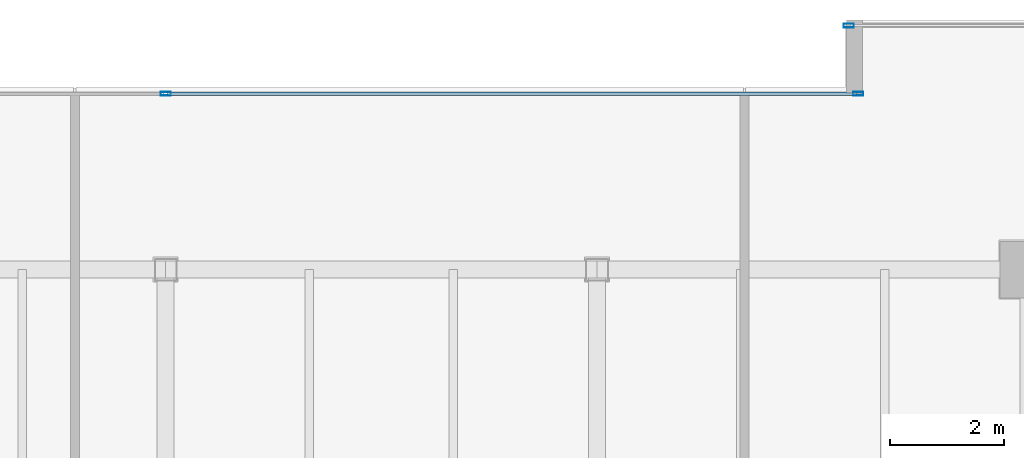
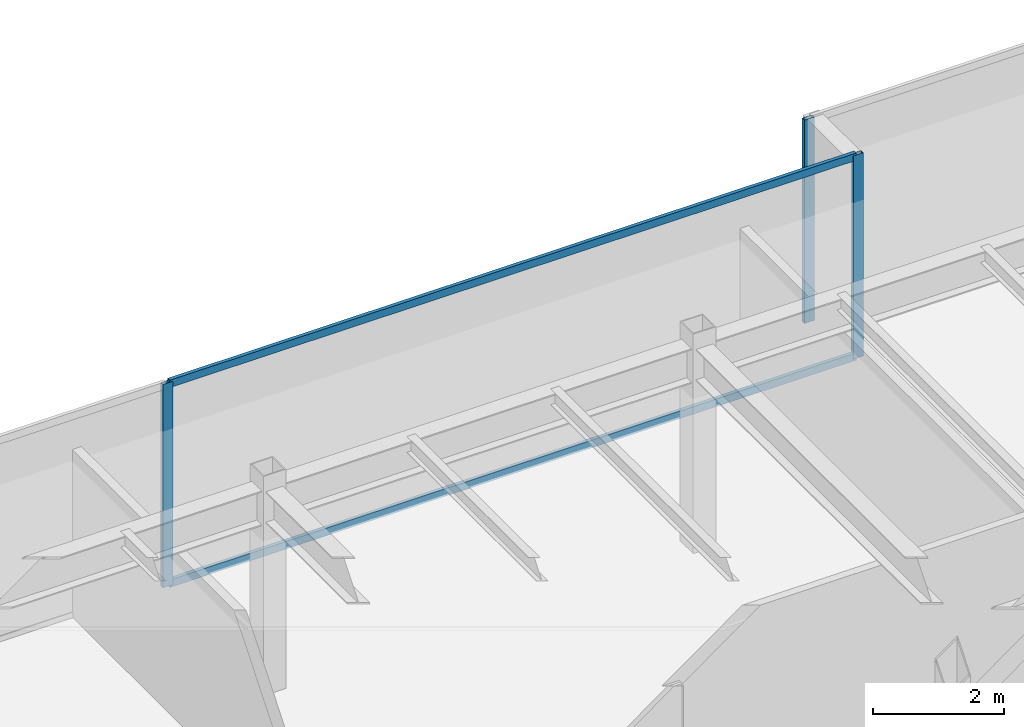
# One storey, part 19 of 35: 5 members, 2 elements without a shape of their own.
"""IFC4 building model written with IfcOpenShell, lengths in metres."""

from ifc_helpers import new_model, si_unit, direction, frame, origin, origin_2d, place, context, subcontext, project, spatial, hollow_rectangle, extrude, source, transform, mapped, material, layer, layer_set, material_profile, profile_set, type_object, type_shapes, element, aggregate, save


model = new_model("IFC4")

# Units and contexts
model_context = context("Model", 3, precision=1e-05, world=origin(), true_north=direction((0.0, 1.0)))
body_context = subcontext(model_context, "Body", "Model", "MODEL_VIEW")
ifc_project = project(units=[si_unit("LENGTHUNIT", "METRE"), si_unit("AREAUNIT", "SQUARE_METRE"), si_unit("VOLUMEUNIT", "CUBIC_METRE"), si_unit("PLANEANGLEUNIT", "RADIAN"), si_unit("MASSUNIT", "GRAM", prefix="KILO")], contexts=[model_context])

# Site, building, storey
site_placement = place(None, origin())
site = spatial("IfcSite", under=ifc_project, at=site_placement, CompositionType="ELEMENT")
building_placement = place(site_placement, origin())
building = spatial("IfcBuilding", under=site, at=building_placement, Name="Haelvirn Gate Laboratories", CompositionType="ELEMENT")
storey_placement = place(building_placement, frame((0.0, 0.0, 234.199951171875)))
storey = spatial("IfcBuildingStorey", under=building, at=storey_placement, Name="L56", CompositionType="ELEMENT", Elevation=234.199951171875)

# Curtain wall, members
ifc_material_1 = material(Name="Anodised bronze unitised aluminium & triple low-E glass", Category="aluminium")
ifc_layer = layer(ifc_material_1, 0.176025390625, Name="CW-SYS-4")
ifc_layer_set = layer_set([ifc_layer], Name="Anodised bronze unitised aluminium & triple low-E glass")
curtain_wall_type = type_object("IfcCurtainWallType", Name="CW-SYS-4", PredefinedType="NOTDEFINED", material=ifc_layer_set)
curtain_wall_1_placement = place(storey_placement, origin())
curtain_wall_1 = element("IfcCurtainWall", 1, at=curtain_wall_1_placement, inside=storey, type_object=curtain_wall_type, Name="L56 Unitised Curtain Wall CW-L56-P0-E12-1", PredefinedType="NOTDEFINED")
ifc_material_2 = material(Name="Extruded aluminium 6063-T6 (anodised bronze)", Category="aluminium")
ifc_material_profile_1 = material_profile(ifc_material_2, hollow_rectangle(XDim=0.06494140625, YDim=0.139892578125, WallThickness=0.00390625, at=origin_2d()), Name="CWT-140x65x4")
ifc_profile_set_1 = profile_set([ifc_material_profile_1], Name="Extruded aluminium 6063-T6 (anodised bronze)")
member_type_1 = type_object("IfcMemberType", Name="CWT-T140", PredefinedType="USERDEFINED", material=ifc_profile_set_1)
shared_shape_1 = source(origin(), body_context, "Body", "SweptSolid", [
    extrude(hollow_rectangle(XDim=0.06494140625, YDim=0.139892578125, WallThickness=0.00390625, at=origin_2d()), origin(), (0.0, 0.0, 1.0), 12.135009765625),
])
type_shapes(member_type_1, [shared_shape_1])
member_1_placement = place(storey_placement, frame((37.43505859375, 44.699951171875, 0.032470703125), z_axis=(1.0, 0.0, 0.0), x_axis=(0.0, 1.0, 0.0)))
member_1 = element("IfcMember", 2, at=member_1_placement, type_object=member_type_1, Name="CW4 transom 2.1", ObjectType="TRANSOM", PredefinedType="USERDEFINED", context=body_context, shape_type="MappedRepresentation", body=[
    mapped(shared_shape_1, transform((0.0, 0.0, 0.0), scale=1.0)),
])
member_2_placement = place(storey_placement, frame((37.43505859375, 44.699951171875, 3.767578125), z_axis=(1.0, 0.0, 0.0), x_axis=(0.0, 1.0, 0.0)))
member_2 = element("IfcMember", 3, at=member_2_placement, type_object=member_type_1, Name="CW4 transom 2.2", ObjectType="TRANSOM", PredefinedType="USERDEFINED", context=body_context, shape_type="MappedRepresentation", body=[
    mapped(shared_shape_1, transform((0.0, 0.0, 0.0), scale=1.0)),
])

# Curtain wall, member
curtain_wall_2_placement = place(storey_placement, origin())
curtain_wall_2 = element("IfcCurtainWall", 4, at=curtain_wall_2_placement, inside=storey, type_object=curtain_wall_type, Name="L56 Unitised Curtain Wall CW-L56-P0-E10-1", PredefinedType="NOTDEFINED")
ifc_material_profile_2 = material_profile(ifc_material_2, hollow_rectangle(XDim=0.070068359375, YDim=0.179931640625, WallThickness=0.0048828125, at=origin_2d()), Name="CWM-180x70x5")
ifc_profile_set_2 = profile_set([ifc_material_profile_2], Name="Extruded aluminium 6063-T6 (anodised bronze)")
member_type_2 = type_object("IfcMemberType", Name="CWM-T180", PredefinedType="MULLION", material=ifc_profile_set_2)
shared_shape_2 = source(origin(), body_context, "Body", "SweptSolid", [
    extrude(hollow_rectangle(XDim=0.070068359375, YDim=0.179931640625, WallThickness=0.0048828125, at=origin_2d()), origin(), (0.0, 0.0, 1.0), 3.800048828125),
])
type_shapes(member_type_2, [shared_shape_2])
member_3_placement = place(storey_placement, frame((49.43505859375, 45.89990234375, 0.0), z_axis=(0.0, 0.0, 1.0), x_axis=(0.0, 1.0, 0.0)))
member_3 = element("IfcMember", 5, at=member_3_placement, type_object=member_type_2, Name="CW4 mullion 1", PredefinedType="MULLION", context=body_context, shape_type="MappedRepresentation", body=[
    mapped(shared_shape_2, transform((0.0, 0.0, 0.0), scale=1.0)),
])
aggregate(curtain_wall_2, [member_3])

# Member
member_4_placement = place(storey_placement, frame((37.39990234375, 44.699951171875, 0.0), z_axis=(0.0, 0.0, 1.0), x_axis=(0.0, 1.0, 0.0)))
member_4 = element("IfcMember", 6, at=member_4_placement, type_object=member_type_2, Name="CW4 mullion 2", PredefinedType="MULLION", context=body_context, shape_type="MappedRepresentation", body=[
    mapped(shared_shape_2, transform((0.0, 0.0, 0.0), scale=1.0)),
])

member_5_placement = place(storey_placement, frame((49.60498046875, 44.699951171875, 0.0), z_axis=(0.0, 0.0, 1.0), x_axis=(0.0, 1.0, 0.0)))
member_5 = element("IfcMember", 7, at=member_5_placement, type_object=member_type_2, Name="CW4 mullion 3", PredefinedType="MULLION", context=body_context, shape_type="MappedRepresentation", body=[
    mapped(shared_shape_2, transform((0.0, 0.0, 0.0), scale=1.0)),
])

aggregate(curtain_wall_1, [member_4, member_5, member_1, member_2])

save(model, "model.ifc")
